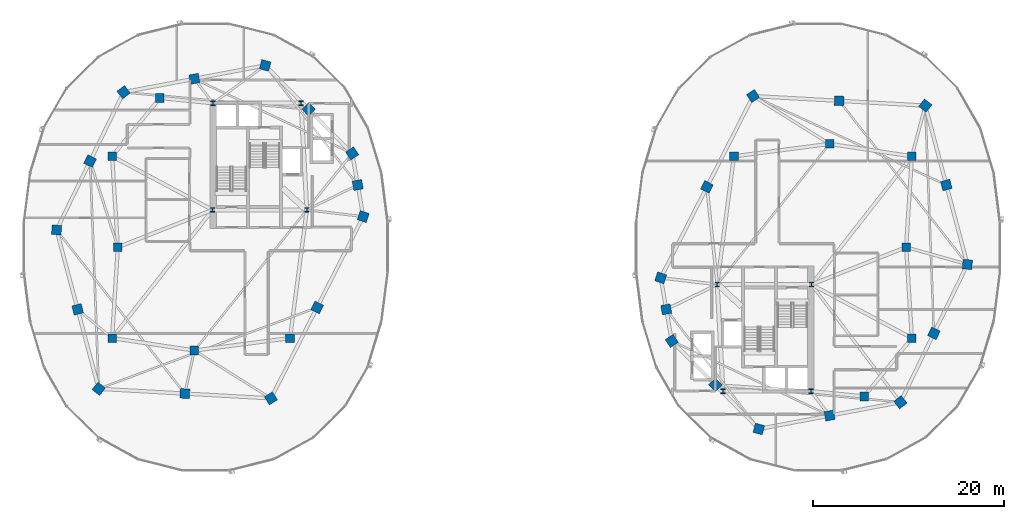
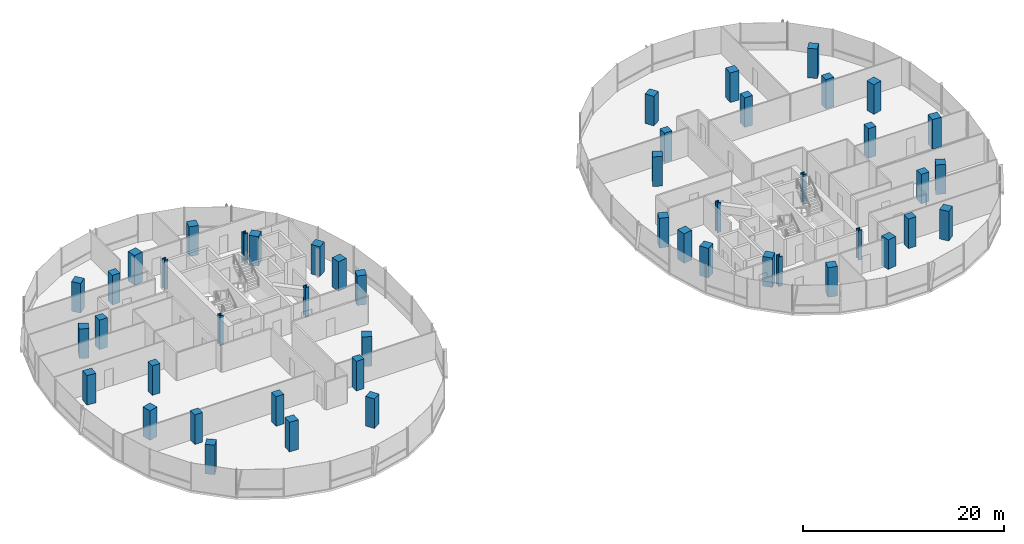
# One storey, part 1 of 22: 48 columns.
"""IFC4 building model written with IfcOpenShell, lengths in metres."""

import ifcopenshell
import ifcopenshell.guid

model = None  # the IFC model being written
_history = None  # IfcOwnerHistory: only IFC2X3 demands one
_inside = {}  # id of a spatial element -> (the spatial element, [elements in it])
_under = {}  # id of a project, library or spatial element -> (it, [spatial elements below it])
_declared = {}  # id of a project -> (the project, [libraries it declares])
_typed = {}  # id of a type object -> (the type object, [elements of that type])
_made_of = {}  # id of a material, layer set ... -> (it, [elements and type objects made of it])


def new_model(schema):
    """Start an empty IFC model of exactly this schema.

    Asked for "IFC4X3", IfcOpenShell would pick the latest addendum, in which some entities
    have other attributes; the version numbers below select the first issue.
    IFC2X3 requires an IfcOwnerHistory on every rooted entity: one is made here for all.
    """
    global model, _history
    if schema == "IFC4X3":
        model = ifcopenshell.file(schema_version=(4, 3, 0, 0))
    else:
        model = ifcopenshell.file(schema=schema)
    _inside.clear()
    _under.clear()
    _declared.clear()
    _typed.clear()
    _made_of.clear()
    _history = None
    if model.schema == "IFC2X3":
        org = make("IfcOrganization", Name="unknown")
        user = make(
            "IfcPersonAndOrganization",
            ThePerson=make("IfcPerson", FamilyName="unknown"),
            TheOrganization=org,
        )
        app = make(
            "IfcApplication",
            ApplicationDeveloper=org,
            Version="unknown",
            ApplicationFullName="unknown",
            ApplicationIdentifier="unknown",
        )
        _history = make(
            "IfcOwnerHistory",
            OwningUser=user,
            OwningApplication=app,
            ChangeAction="ADDED",
            CreationDate=0,
        )
    return model


def make(cls, **values):
    """One entity of the class cls with the attributes given. An attribute that is None is left unset."""
    return model.create_entity(
        cls, **{name: value for name, value in values.items() if value is not None}
    )


def rooted(cls, **values):
    """An entity with a GlobalId (a new one), such as an element, a storey or a relation."""
    return make(cls, GlobalId=ifcopenshell.guid.new(), OwnerHistory=_history, **values)


def si_unit(unit_type, name, prefix=None):
    """IfcSIUnit, for example si_unit("LENGTHUNIT", "METRE", prefix="MILLI")."""
    return make("IfcSIUnit", UnitType=unit_type, Prefix=prefix, Name=name)


def assignment(units):
    """IfcUnitAssignment: the units of a project."""
    return None if units is None else make("IfcUnitAssignment", Units=units)


def point(xyz):
    """IfcCartesianPoint."""
    return None if xyz is None else make("IfcCartesianPoint", Coordinates=xyz)


def direction(xyz):
    """IfcDirection."""
    return None if xyz is None else make("IfcDirection", DirectionRatios=xyz)


def frame(location, z_axis=None, x_axis=None):
    """IfcAxis2Placement3D, a coordinate frame: its origin and axes. An axis left out is left unset."""
    return make(
        "IfcAxis2Placement3D",
        Location=point(location),
        Axis=direction(z_axis),
        RefDirection=direction(x_axis),
    )


def frame_2d(location, x_axis=None):
    """IfcAxis2Placement2D, a coordinate frame in the plane: its origin and x axis."""
    return make(
        "IfcAxis2Placement2D", Location=point(location), RefDirection=direction(x_axis)
    )


def origin():
    """The frame at (0, 0, 0) with its axes left unset."""
    return frame((0.0, 0.0, 0.0))


def origin_2d():
    """The frame at (0, 0) in the plane with its x axis left unset."""
    return frame_2d((0.0, 0.0))


def place(relative_to, where):
    """IfcLocalPlacement: puts the frame where relative to a parent placement (None: the world)."""
    return make(
        "IfcLocalPlacement", PlacementRelTo=relative_to, RelativePlacement=where
    )


def context(
    kind, dimensions, precision=None, world=None, true_north=None, identifier=None
):
    """IfcGeometricRepresentationContext, for example the 3D "Model" context."""
    return make(
        "IfcGeometricRepresentationContext",
        ContextIdentifier=identifier,
        ContextType=kind,
        CoordinateSpaceDimension=dimensions,
        Precision=precision,
        WorldCoordinateSystem=world,
        TrueNorth=true_north,
    )


def subcontext(parent, identifier, kind, view, scale=None):
    """IfcGeometricRepresentationSubContext, for example "Body" below "Model"."""
    return make(
        "IfcGeometricRepresentationSubContext",
        ContextIdentifier=identifier,
        ContextType=kind,
        ParentContext=parent,
        TargetScale=scale,
        TargetView=view,
    )


def project(units=None, contexts=None):
    """IfcProject with its units and contexts."""
    return rooted(
        "IfcProject",
        Name="project",
        RepresentationContexts=contexts,
        UnitsInContext=assignment(units),
    )


def spatial(cls, under=None, at=None, **own):
    """A site, building, storey or space (cls), placed at a placement, below another one or the project."""
    s = rooted(cls, ObjectPlacement=at, **own)
    if under is not None:
        _under.setdefault(under.id(), (under, []))[1].append(s)
    return s


def profile(cls, at=None, kind="AREA", **sizes):
    """A parametric profile (cls). Its sizes go by their IFC names, for example OverallWidth=200.0."""
    return make(cls, ProfileType=kind, Position=at, **sizes)


def rectangle(**sizes):
    """IfcRectangleProfileDef."""
    return profile("IfcRectangleProfileDef", **sizes)


def i_section(**sizes):
    """IfcIShapeProfileDef."""
    return profile("IfcIShapeProfileDef", **sizes)


def extrude(swept, where, along, depth):
    """IfcExtrudedAreaSolid: the profile swept, set in the frame where, extruded along a direction by depth."""
    return make(
        "IfcExtrudedAreaSolid",
        SweptArea=swept,
        Position=where,
        ExtrudedDirection=direction(along),
        Depth=depth,
    )


def shape(context_of_items, identifier, shape_type, items):
    """IfcShapeRepresentation: the items that make up one representation, for example the "Body"."""
    return make(
        "IfcShapeRepresentation",
        ContextOfItems=context_of_items,
        RepresentationIdentifier=identifier,
        RepresentationType=shape_type,
        Items=items,
    )


def material(Name=None, Category=None):
    """IfcMaterial."""
    return make("IfcMaterial", Name=Name, Category=Category)


def material_profile(
    of_material, cross_section, Name=None, Category=None, Priority=None
):
    """IfcMaterialProfile: a cross section and its material."""
    return make(
        "IfcMaterialProfile",
        Name=Name,
        Material=of_material,
        Profile=cross_section,
        Priority=Priority,
        Category=Category,
    )


def profile_set(profiles, Name=None, composite=None):
    """IfcMaterialProfileSet."""
    return make(
        "IfcMaterialProfileSet",
        Name=Name,
        MaterialProfiles=profiles,
        CompositeProfile=composite,
    )


def made_of(thing, what):
    """Note that an element or type object is made of a material, layer set ...; save() writes the relation."""
    if what is not None:
        _made_of.setdefault(what.id(), (what, []))[1].append(thing)
    return thing


def type_object(cls, material=None, **own):
    """A type object (cls), such as IfcWallType, which elements share."""
    return made_of(rooted(cls, **own), material)


def element(
    cls,
    number,
    at=None,
    inside=None,
    cuts=None,
    type_object=None,
    material=None,
    context=None,
    identifier="Body",
    shape_type=None,
    held_by="IfcProductDefinitionShape",
    body=None,
    shapes=None,
    **own,
):
    """One element of the class cls, such as IfcWall. Its Tag is "e" and its number.

    at: its placement. inside: the storey or other place that contains it. cuts: it is an
    opening in that element (IfcRelVoidsElement). A single representation is given by context,
    identifier, shape_type and body (its items); several are given by shapes. held_by: the class
    of the entity that holds the representations. save() writes the other relations.
    """
    e = rooted(cls, Tag="e%d" % number, ObjectPlacement=at, **own)
    if body is not None:
        shapes = [shape(context, identifier, shape_type, body)]
    if shapes is not None:
        e.Representation = make(held_by, Representations=shapes)
    if inside is not None:
        _inside.setdefault(inside.id(), (inside, []))[1].append(e)
    if cuts is not None:
        rooted(
            "IfcRelVoidsElement", RelatingBuildingElement=cuts, RelatedOpeningElement=e
        )
    if type_object is not None:
        _typed.setdefault(type_object.id(), (type_object, []))[1].append(e)
    return made_of(e, material)


def aggregate(whole, parts):
    """IfcRelAggregates: a whole, such as a stair, and the parts it consists of."""
    return rooted("IfcRelAggregates", RelatingObject=whole, RelatedObjects=parts)


def save(model, path):
    """Write the relations noted so far, then the file.

    IfcRelAggregates (storeys below a building ...), IfcRelContainedInSpatialStructure (elements
    in a storey), IfcRelDefinesByType, IfcRelAssociatesMaterial and IfcRelDeclares: one each for
    every whole, place, type object, material and project.
    """
    for whole, parts in _under.values():
        aggregate(whole, parts)
    for where, things in _inside.values():
        rooted(
            "IfcRelContainedInSpatialStructure",
            RelatedElements=things,
            RelatingStructure=where,
        )
    for kind, things in _typed.values():
        rooted("IfcRelDefinesByType", RelatedObjects=things, RelatingType=kind)
    for what, things in _made_of.values():
        rooted("IfcRelAssociatesMaterial", RelatedObjects=things, RelatingMaterial=what)
    for by, libraries in _declared.values():
        rooted("IfcRelDeclares", RelatingContext=by, RelatedDefinitions=libraries)
    model.write(path)


model = new_model("IFC4")

# Units and contexts
model_context = context("Model", 3, precision=1e-05, world=origin(), true_north=direction((0.0, 1.0)))
body_context = subcontext(model_context, "Body", "Model", "MODEL_VIEW")
ifc_project = project(units=[si_unit("LENGTHUNIT", "METRE"), si_unit("AREAUNIT", "SQUARE_METRE"), si_unit("VOLUMEUNIT", "CUBIC_METRE"), si_unit("PLANEANGLEUNIT", "RADIAN"), si_unit("MASSUNIT", "GRAM", prefix="KILO"), si_unit("THERMODYNAMICTEMPERATUREUNIT", "KELVIN"), si_unit("POWERUNIT", "WATT")], contexts=[model_context])

# Site, building, storey
site_placement = place(None, origin())
site = spatial("IfcSite", under=ifc_project, at=site_placement, CompositionType="ELEMENT")
building_placement = place(site_placement, origin())
building = spatial("IfcBuilding", under=site, at=building_placement, Name="Cundina Bronze Exchange", CompositionType="ELEMENT")
storey_placement = place(building_placement, frame((0.0, 0.0, 147.60009765625)))
storey = spatial("IfcBuildingStorey", under=building, at=storey_placement, Name="L38", CompositionType="ELEMENT", Elevation=147.60009765625)

# Columns
ifc_material_1 = material(Name="Steel ASTM A992 Grade 50", Category="steel")
ifc_material_profile_1 = material_profile(ifc_material_1, i_section(OverallWidth=0.431884765625, OverallDepth=0.498046875, WebThickness=0.0556640625, FlangeThickness=0.0888671875, FilletRadius=0.01806640625, at=origin_2d()), Name="W14X500", Category="steel")
ifc_profile_set_1 = profile_set([ifc_material_profile_1], Name="Steel ASTM A992 Grade 50")
column_type_1 = type_object("IfcColumnType", Name="COL-STL-W14A", PredefinedType="COLUMN", material=ifc_profile_set_1)
for number, where, z_axis, x_axis, name in (
    (1, (-31.300048828125, 3.89990234375, 0.0), (0.0, 0.0, 1.0), (1.0, 0.0, 0.0), "L38 Core Anchor Column W1"),
    (2, (-21.449951171875, 3.89990234375, 0.0), (0.0, 0.0, 1.0), (1.0, 0.0, 0.0), "L38 Core Anchor Column W2"),
    (3, (-22.050048828125, 15.050048828125, 0.0), (0.0, 0.0, 1.0), (1.0, 0.0, 0.0), "L38 Core Anchor Column W3"),
    (4, (-31.25, 15.050048828125, 0.0), (0.0, 0.0, 1.0), (1.0, 0.0, 0.0), "L38 Core Anchor Column W4"),
    (5, (31.300048828125, -3.89990234375, 0.0), (0.0, 0.0, 1.0), (1.0, 0.0, 0.0), "L38 Core Anchor Column E1"),
    (6, (21.449951171875, -3.89990234375, 0.0), (0.0, 0.0, 1.0), (1.0, 0.0, 0.0), "L38 Core Anchor Column E2"),
    (7, (22.050048828125, -15.050048828125, 0.0), (0.0, 0.0, 1.0), (1.0, 0.0, 0.0), "L38 Core Anchor Column E3"),
    (8, (31.25, -15.050048828125, 0.0), (0.0, 0.0, 1.0), (1.0, 0.0, 0.0), "L38 Core Anchor Column E4"),
):
    element("IfcColumn", number, at=place(storey_placement, frame(where, z_axis=z_axis, x_axis=x_axis)), inside=storey, type_object=column_type_1, Name=name, PredefinedType="COLUMN", context=body_context, shape_type="SweptSolid", body=[
        extrude(i_section(OverallWidth=0.431884765625, OverallDepth=0.498046875, WebThickness=0.0556640625, FlangeThickness=0.0888671875, FilletRadius=0.01806640625, at=origin_2d()), origin(), (0.0, 0.0, 1.0), 3.599853515625),
    ])
ifc_material_2 = material(Name="Concrete C50/60", Category="concrete")
ifc_material_profile_2 = material_profile(ifc_material_2, rectangle(XDim=1.0, YDim=1.0, at=origin_2d()), Name="RC1000X1000", Category="concrete")
ifc_profile_set_2 = profile_set([ifc_material_profile_2], Name="Concrete C50/60")
column_type_2 = type_object("IfcColumnType", Name="COL-Z3-1000", PredefinedType="COLUMN", material=ifc_profile_set_2)
for number, where, z_axis, x_axis, name in (
    (9, (-15.550048828125, 3.199951171875, 0.0), (0.0, 0.0, 1.0), (0.315152163383, 0.949041155016, 0.0), "L38 W Perimeter Column 00"),
    (10, (-16.125, 6.5, 0.0), (0.0, 0.0, 1.0), (-0.171585221787, 0.985169280715, 0.0), "L38 W Perimeter Column 01"),
    (11, (-16.699951171875, 9.800048828125, 0.0), (0.0, 0.0, 1.0), (-0.544199833495, 0.838955625301, 0.0), "L38 W Perimeter Column 02"),
    (12, (-21.25, 14.39990234375, 0.0), (0.0, 0.0, 1.0), (-0.703270634186, 0.710922228581, 0.0), "L38 W Perimeter Column 03"),
    (13, (-25.800048828125, 19.0, 0.0), (0.0, 0.0, 1.0), (-0.965970984022, 0.258650455301, 0.0), "L38 W Perimeter Column 04"),
    (14, (-33.199951171875, 17.60009765625, 0.0), (0.0, 0.0, 1.0), (-0.98258037664, -0.185838110843, 0.0), "L38 W Perimeter Column 05"),
    (15, (-40.60009765625, 16.199951171875, 0.0), (0.0, 0.0, 1.0), (-0.785100778485, -0.619368038909, 0.0), "L38 W Perimeter Column 06"),
    (16, (-44.10009765625, 9.0, 0.0), (0.0, 0.0, 1.0), (-0.437115766651, -0.899405251566, 0.0), "L38 W Perimeter Column 07"),
    (17, (-47.60009765625, 1.800048828125, 0.0), (0.0, 0.0, 1.0), (-0.083503921245, -0.996507448611, 0.0), "L38 W Perimeter Column 08"),
    (18, (-45.39990234375, -6.5, 0.0), (0.0, 0.0, 1.0), (0.256289373133, -0.966600102017, 0.0), "L38 W Perimeter Column 09"),
    (19, (-43.199951171875, -14.800048828125, 0.0), (0.0, 0.0, 1.0), (0.786288432137, -0.61785961309, 0.0), "L38 W Perimeter Column 10"),
    (20, (-34.199951171875, -15.300048828125, 0.0), (0.0, 0.0, 1.0), (0.998460188734, -0.055472980025, 0.0), "L38 W Perimeter Column 11"),
    (21, (-25.199951171875, -15.800048828125, 0.0), (0.0, 0.0, 1.0), (0.838099763533, 0.545516989988, 0.0), "L38 W Perimeter Column 12"),
    (22, (-20.375, -6.300048828125, 0.0), (0.0, 0.0, 1.0), (0.452901591366, 0.891560513111, 0.0), "L38 W Perimeter Column 13"),
    (23, (15.550048828125, -3.199951171875, 0.0), (0.0, 0.0, 1.0), (-0.315152163383, -0.949041155016, 0.0), "L38 E Perimeter Column 00"),
    (24, (16.125, -6.5, 0.0), (0.0, 0.0, 1.0), (0.171585221787, -0.985169280715, 0.0), "L38 E Perimeter Column 01"),
    (25, (16.699951171875, -9.800048828125, 0.0), (0.0, 0.0, 1.0), (0.544199833495, -0.838955625301, 0.0), "L38 E Perimeter Column 02"),
    (26, (21.25, -14.39990234375, 0.0), (0.0, 0.0, 1.0), (0.703270634186, -0.710922228581, 0.0), "L38 E Perimeter Column 03"),
    (27, (25.800048828125, -19.0, 0.0), (0.0, 0.0, 1.0), (0.965970984022, -0.258650455301, 0.0), "L38 E Perimeter Column 04"),
    (28, (33.199951171875, -17.60009765625, 0.0), (0.0, 0.0, 1.0), (0.98258037664, 0.185838110843, 0.0), "L38 E Perimeter Column 05"),
    (29, (40.60009765625, -16.199951171875, 0.0), (0.0, 0.0, 1.0), (0.785100778485, 0.619368038909, 0.0), "L38 E Perimeter Column 06"),
    (30, (44.10009765625, -9.0, 0.0), (0.0, 0.0, 1.0), (0.437115766651, 0.899405251566, 0.0), "L38 E Perimeter Column 07"),
    (31, (47.60009765625, -1.800048828125, 0.0), (0.0, 0.0, 1.0), (0.083503921245, 0.996507448611, 0.0), "L38 E Perimeter Column 08"),
    (32, (45.39990234375, 6.5, 0.0), (0.0, 0.0, 1.0), (-0.256289373133, 0.966600102017, 0.0), "L38 E Perimeter Column 09"),
    (33, (43.199951171875, 14.800048828125, 0.0), (0.0, 0.0, 1.0), (-0.786288432137, 0.61785961309, 0.0), "L38 E Perimeter Column 10"),
    (34, (34.199951171875, 15.300048828125, 0.0), (0.0, 0.0, 1.0), (-0.998460188734, 0.055472980025, 0.0), "L38 E Perimeter Column 11"),
    (35, (25.199951171875, 15.800048828125, 0.0), (0.0, 0.0, 1.0), (-0.838099763533, -0.545516989988, 0.0), "L38 E Perimeter Column 12"),
    (36, (20.375, 6.300048828125, 0.0), (0.0, 0.0, 1.0), (-0.452901591366, -0.891560513111, 0.0), "L38 E Perimeter Column 13"),
):
    element("IfcColumn", number, at=place(storey_placement, frame(where, z_axis=z_axis, x_axis=x_axis)), inside=storey, type_object=column_type_2, Name=name, PredefinedType="COLUMN", context=body_context, shape_type="SweptSolid", body=[
        extrude(rectangle(XDim=1.0, YDim=1.0, at=origin_2d()), origin(), (0.0, 0.0, 1.0), 3.599853515625),
    ])
ifc_material_profile_3 = material_profile(ifc_material_2, rectangle(XDim=0.89990234375, YDim=0.89990234375, at=origin_2d()), Name="RC900X900", Category="concrete")
ifc_profile_set_3 = profile_set([ifc_material_profile_3], Name="Concrete C50/60")
column_type_3 = type_object("IfcColumnType", Name="COL-Z4-900", PredefinedType="COLUMN", material=ifc_profile_set_3)
for number, where, z_axis, x_axis, name in (
    (37, (-41.199951171875, 0.0, 0.0), (0.0, 0.0, 1.0), (1.0, 0.0, 0.0), "L38 W Inner Ring Column 1"),
    (38, (-41.800048828125, 9.5, 0.0), (0.0, 0.0, 1.0), (1.0, 0.0, 0.0), "L38 W Inner Ring Column 2"),
    (39, (-36.800048828125, 15.60009765625, 0.0), (0.0, 0.0, 1.0), (1.0, 0.0, 0.0), "L38 W Inner Ring Column 3"),
    (40, (-41.800048828125, -9.5, 0.0), (0.0, 0.0, 1.0), (1.0, 0.0, 0.0), "L38 W Inner Ring Column 4"),
    (41, (-33.199951171875, -10.800048828125, 0.0), (0.0, 0.0, 1.0), (1.0, 0.0, 0.0), "L38 W Inner Ring Column 5"),
    (42, (-23.199951171875, -9.5, 0.0), (0.0, 0.0, 1.0), (1.0, 0.0, 0.0), "L38 W Inner Ring Column 6"),
    (43, (41.199951171875, 0.0, 0.0), (0.0, 0.0, 1.0), (1.0, 0.0, 0.0), "L38 E Inner Ring Column 1"),
    (44, (41.800048828125, -9.5, 0.0), (0.0, 0.0, 1.0), (1.0, 0.0, 0.0), "L38 E Inner Ring Column 2"),
    (45, (36.800048828125, -15.60009765625, 0.0), (0.0, 0.0, 1.0), (1.0, 0.0, 0.0), "L38 E Inner Ring Column 3"),
    (46, (41.800048828125, 9.5, 0.0), (0.0, 0.0, 1.0), (1.0, 0.0, 0.0), "L38 E Inner Ring Column 4"),
    (47, (33.199951171875, 10.800048828125, 0.0), (0.0, 0.0, 1.0), (1.0, 0.0, 0.0), "L38 E Inner Ring Column 5"),
    (48, (23.199951171875, 9.5, 0.0), (0.0, 0.0, 1.0), (1.0, 0.0, 0.0), "L38 E Inner Ring Column 6"),
):
    element("IfcColumn", number, at=place(storey_placement, frame(where, z_axis=z_axis, x_axis=x_axis)), inside=storey, type_object=column_type_3, Name=name, PredefinedType="COLUMN", context=body_context, shape_type="SweptSolid", body=[
        extrude(rectangle(XDim=0.89990234375, YDim=0.89990234375, at=origin_2d()), origin(), (0.0, 0.0, 1.0), 3.599853515625),
    ])

save(model, "model.ifc")
